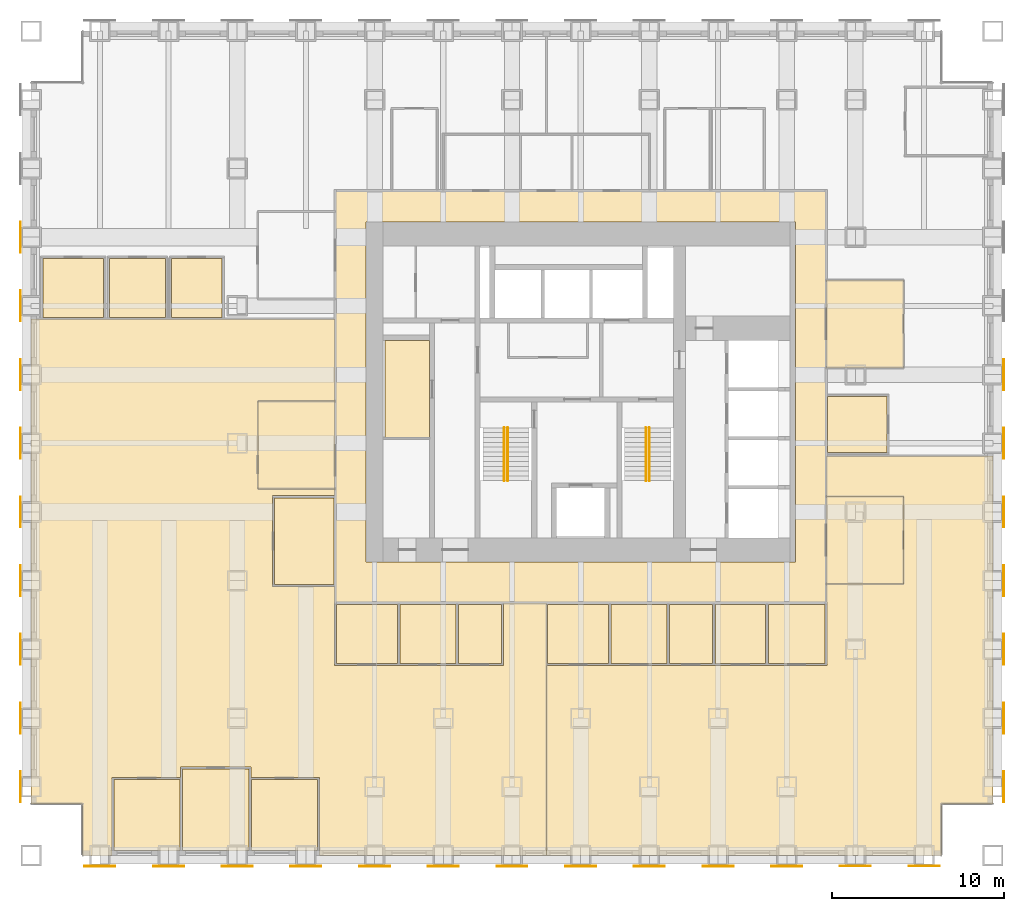
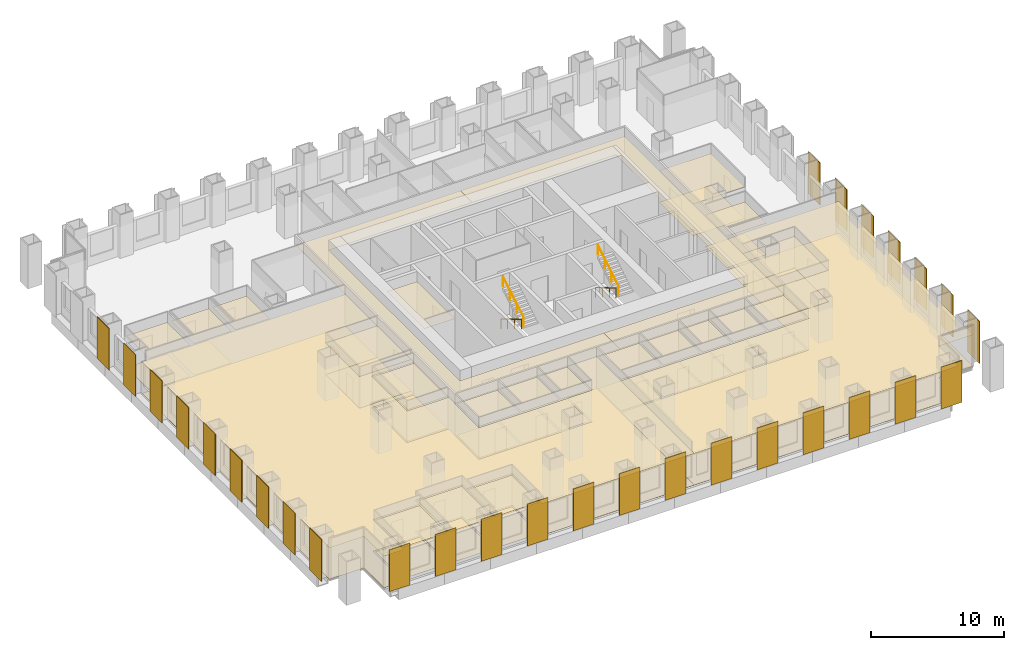
# One storey, part 13 of 14: 44 coverings, 29 shading devices, 4 railings.
"""IFC4 building model written with IfcOpenShell, lengths in metres."""

from ifc_helpers import new_model, si_unit, direction, frame, origin, origin_2d, place, context, subcontext, project, spatial, polyline, rectangle, circle, outline, extrude, material, layer, layer_set, type_object, element, save


model = new_model("IFC4")

# Units and contexts
model_context = context("Model", 3, precision=1e-05, world=origin(), true_north=direction((0.0, 1.0)))
body_context = subcontext(model_context, "Body", "Model", "MODEL_VIEW")
ifc_project = project(units=[si_unit("LENGTHUNIT", "METRE"), si_unit("AREAUNIT", "SQUARE_METRE"), si_unit("VOLUMEUNIT", "CUBIC_METRE"), si_unit("PLANEANGLEUNIT", "RADIAN"), si_unit("MASSUNIT", "GRAM", prefix="KILO")], contexts=[model_context])

# Site, building, storey
site_placement = place(None, origin())
site = spatial("IfcSite", under=ifc_project, at=site_placement, CompositionType="ELEMENT")
building_placement = place(site_placement, origin())
building = spatial("IfcBuilding", under=site, at=building_placement, Name="Rimbunsela Tower", CompositionType="ELEMENT")
storey_placement = place(building_placement, frame((0.0, 0.0, 63.0)))
storey = spatial("IfcBuildingStorey", under=building, at=storey_placement, Name="L15", CompositionType="ELEMENT", Elevation=63.0)

# Coverings
ifc_material_1 = material(Name="Nylon carpet tile", Category="textile")
ifc_layer_1 = layer(ifc_material_1, 0.010009765625)
ifc_layer_set_1 = layer_set([ifc_layer_1], Name="Carpet tile 10")
covering_type_1 = type_object("IfcCoveringType", Name="Carpet tile 10", PredefinedType="FLOORING", material=ifc_layer_set_1)
covering_1_placement = place(storey_placement, origin())
element("IfcCovering", 1, at=covering_1_placement, inside=storey, type_object=covering_type_1, Name="Floor finish Open office", PredefinedType="FLOORING", context=body_context, shape_type="SweptSolid", body=[
    extrude(outline(polyline([(19.449951171875, 11.050048828125), (22.75, 11.050048828125), (22.85009765625, 11.050048828125), (25.5, 11.050048828125), (25.5, 14.699951171875), (27.9990234375, 14.699951171875), (27.9990234375, 0.0), (15.699951171875, 0.0), (14.800048828125, 0.0), (14.800048828125, 4.550048828125), (10.800048828125, 4.550048828125), (10.800048828125, 5.14990234375), (6.699951171875, 5.14990234375), (6.699951171875, 4.550048828125), (2.699951171875, 4.550048828125), (2.699951171875, 0.0), (1.0, 0.0), (1.0, 3.0), (-2.0, 3.0), (-2.0, 31.2490234375), (15.699951171875, 31.2490234375), (15.699951171875, 26.449951171875), (11.199951171875, 26.449951171875), (11.199951171875, 21.35009765625), (15.699951171875, 21.35009765625), (15.699951171875, 20.949951171875), (12.050048828125, 20.949951171875), (12.050048828125, 15.64990234375), (15.699951171875, 15.64990234375), (15.699951171875, 14.75), (15.64990234375, 14.75), (15.64990234375, 11.050048828125), (15.699951171875, 11.050048828125), (19.35009765625, 11.050048828125), (19.449951171875, 11.050048828125)])), origin(), (0.0, 0.0, 1.0), 0.010009765625),
])
covering_2_placement = place(storey_placement, origin())
element("IfcCovering", 2, at=covering_2_placement, inside=storey, type_object=covering_type_1, Name="Floor finish Open office", PredefinedType="FLOORING", context=body_context, shape_type="SweptSolid", body=[
    extrude(outline(polyline([(28.0009765625, 11.050048828125), (31.65087890625, 11.050048828125), (31.7509765625, 11.050048828125), (35.051025390625, 11.050048828125), (35.15087890625, 11.050048828125), (37.700927734375, 11.050048828125), (37.801025390625, 11.050048828125), (40.801025390625, 11.050048828125), (40.90087890625, 11.050048828125), (44.300048828125, 11.050048828125), (44.35009765625, 11.050048828125), (44.35009765625, 14.75), (44.300048828125, 14.75), (44.300048828125, 15.800048828125), (48.800048828125, 15.800048828125), (48.800048828125, 20.89990234375), (44.300048828125, 20.89990234375), (44.300048828125, 23.2490234375), (54.0, 23.2490234375), (54.0, 3.0), (51.0, 3.0), (51.0, 0.0), (44.300048828125, 0.0), (28.0009765625, 0.0), (28.0009765625, 11.050048828125)])), origin(), (0.0, 0.0, 1.0), 0.010009765625),
])
covering_3_placement = place(storey_placement, origin())
element("IfcCovering", 3, at=covering_3_placement, inside=storey, type_object=covering_type_1, Name="Floor finish Reception", PredefinedType="FLOORING", context=body_context, shape_type="SweptSolid", body=[
    extrude(outline(polyline([(15.699951171875, 21.35009765625), (15.699951171875, 26.449951171875), (11.199951171875, 26.449951171875), (11.199951171875, 21.35009765625), (15.699951171875, 21.35009765625)])), origin(), (0.0, 0.0, 1.0), 0.010009765625),
])
covering_4_placement = place(storey_placement, origin())
element("IfcCovering", 4, at=covering_4_placement, inside=storey, type_object=covering_type_1, Name="Floor finish Reception", PredefinedType="FLOORING", context=body_context, shape_type="SweptSolid", body=[
    extrude(outline(polyline([(48.800048828125, 15.800048828125), (48.800048828125, 20.89990234375), (44.300048828125, 20.89990234375), (44.300048828125, 15.800048828125), (48.800048828125, 15.800048828125)])), origin(), (0.0, 0.0, 1.0), 0.010009765625),
])
covering_5_placement = place(storey_placement, origin())
element("IfcCovering", 5, at=covering_5_placement, inside=storey, type_object=covering_type_1, Name="Floor finish Reception", PredefinedType="FLOORING", context=body_context, shape_type="SweptSolid", body=[
    extrude(outline(polyline([(48.800048828125, 28.39990234375), (48.800048828125, 33.5), (44.300048828125, 33.5), (44.300048828125, 28.39990234375), (48.800048828125, 28.39990234375)])), origin(), (0.0, 0.0, 1.0), 0.010009765625),
])
covering_6_placement = place(storey_placement, origin())
element("IfcCovering", 6, at=covering_6_placement, inside=storey, type_object=covering_type_1, Name="Floor finish Executive office", PredefinedType="FLOORING", context=body_context, shape_type="SweptSolid", body=[
    extrude(outline(polyline([(6.675048828125, 0.300048828125), (6.675048828125, 4.425048828125), (2.824951171875, 4.425048828125), (2.824951171875, 0.300048828125), (6.675048828125, 0.300048828125)])), origin(), (0.0, 0.0, 1.0), 0.010009765625),
])
covering_7_placement = place(storey_placement, origin())
element("IfcCovering", 7, at=covering_7_placement, inside=storey, type_object=covering_type_1, Name="Floor finish Meeting room", PredefinedType="FLOORING", context=body_context, shape_type="SweptSolid", body=[
    extrude(outline(polyline([(10.675048828125, 0.300048828125), (10.675048828125, 5.02490234375), (6.824951171875, 5.02490234375), (6.824951171875, 0.300048828125), (10.675048828125, 0.300048828125)])), origin(), (0.0, 0.0, 1.0), 0.010009765625),
])
covering_8_placement = place(storey_placement, origin())
element("IfcCovering", 8, at=covering_8_placement, inside=storey, type_object=covering_type_1, Name="Floor finish Executive office", PredefinedType="FLOORING", context=body_context, shape_type="SweptSolid", body=[
    extrude(outline(polyline([(14.675048828125, 0.300048828125), (14.675048828125, 4.425048828125), (10.824951171875, 4.425048828125), (10.824951171875, 0.300048828125), (14.675048828125, 0.300048828125)])), origin(), (0.0, 0.0, 1.0), 0.010009765625),
])
covering_9_placement = place(storey_placement, origin())
element("IfcCovering", 9, at=covering_9_placement, inside=storey, type_object=covering_type_1, Name="Floor finish Meeting room", PredefinedType="FLOORING", context=body_context, shape_type="SweptSolid", body=[
    extrude(outline(polyline([(19.324951171875, 11.175048828125), (19.324951171875, 14.625), (15.77490234375, 14.625), (15.77490234375, 11.175048828125), (19.324951171875, 11.175048828125)])), origin(), (0.0, 0.0, 1.0), 0.010009765625),
])
covering_10_placement = place(storey_placement, origin())
element("IfcCovering", 10, at=covering_10_placement, inside=storey, type_object=covering_type_1, Name="Floor finish Pantry", PredefinedType="FLOORING", context=body_context, shape_type="SweptSolid", body=[
    extrude(outline(polyline([(22.72509765625, 11.175048828125), (22.72509765625, 14.625), (19.47509765625, 14.625), (19.47509765625, 11.175048828125), (22.72509765625, 11.175048828125)])), origin(), (0.0, 0.0, 1.0), 0.010009765625),
])
covering_11_placement = place(storey_placement, origin())
element("IfcCovering", 11, at=covering_11_placement, inside=storey, type_object=covering_type_1, Name="Floor finish Print and copy room", PredefinedType="FLOORING", context=body_context, shape_type="SweptSolid", body=[
    extrude(outline(polyline([(25.375, 11.175048828125), (25.375, 14.625), (22.875, 14.625), (22.875, 11.175048828125), (25.375, 11.175048828125)])), origin(), (0.0, 0.0, 1.0), 0.010009765625),
])
covering_12_placement = place(storey_placement, origin())
element("IfcCovering", 12, at=covering_12_placement, inside=storey, type_object=covering_type_1, Name="Floor finish Office", PredefinedType="FLOORING", context=body_context, shape_type="SweptSolid", body=[
    extrude(outline(polyline([(15.625, 15.77490234375), (15.625, 20.824951171875), (12.175048828125, 20.824951171875), (12.175048828125, 15.77490234375), (15.625, 15.77490234375)])), origin(), (0.0, 0.0, 1.0), 0.010009765625),
])
covering_13_placement = place(storey_placement, origin())
element("IfcCovering", 13, at=covering_13_placement, inside=storey, type_object=covering_type_1, Name="Floor finish Meeting room", PredefinedType="FLOORING", context=body_context, shape_type="SweptSolid", body=[
    extrude(outline(polyline([(31.6259765625, 11.175048828125), (31.6259765625, 14.625), (28.075927734375, 14.625), (28.075927734375, 11.175048828125), (31.6259765625, 11.175048828125)])), origin(), (0.0, 0.0, 1.0), 0.010009765625),
])
covering_14_placement = place(storey_placement, origin())
element("IfcCovering", 14, at=covering_14_placement, inside=storey, type_object=covering_type_1, Name="Floor finish Pantry", PredefinedType="FLOORING", context=body_context, shape_type="SweptSolid", body=[
    extrude(outline(polyline([(35.02587890625, 11.175048828125), (35.02587890625, 14.625), (31.77587890625, 14.625), (31.77587890625, 11.175048828125), (35.02587890625, 11.175048828125)])), origin(), (0.0, 0.0, 1.0), 0.010009765625),
])
covering_15_placement = place(storey_placement, origin())
element("IfcCovering", 15, at=covering_15_placement, inside=storey, type_object=covering_type_1, Name="Floor finish Print and copy room", PredefinedType="FLOORING", context=body_context, shape_type="SweptSolid", body=[
    extrude(outline(polyline([(37.676025390625, 11.175048828125), (37.676025390625, 14.625), (35.176025390625, 14.625), (35.176025390625, 11.175048828125), (37.676025390625, 11.175048828125)])), origin(), (0.0, 0.0, 1.0), 0.010009765625),
])
covering_16_placement = place(storey_placement, origin())
element("IfcCovering", 16, at=covering_16_placement, inside=storey, type_object=covering_type_1, Name="Floor finish Office", PredefinedType="FLOORING", context=body_context, shape_type="SweptSolid", body=[
    extrude(outline(polyline([(40.77587890625, 11.175048828125), (40.77587890625, 14.625), (37.825927734375, 14.625), (37.825927734375, 11.175048828125), (40.77587890625, 11.175048828125)])), origin(), (0.0, 0.0, 1.0), 0.010009765625),
])
covering_17_placement = place(storey_placement, origin())
element("IfcCovering", 17, at=covering_17_placement, inside=storey, type_object=covering_type_1, Name="Floor finish Focus room", PredefinedType="FLOORING", context=body_context, shape_type="SweptSolid", body=[
    extrude(outline(polyline([(44.22509765625, 11.175048828125), (44.22509765625, 14.625), (40.926025390625, 14.625), (40.926025390625, 11.175048828125), (44.22509765625, 11.175048828125)])), origin(), (0.0, 0.0, 1.0), 0.010009765625),
])
covering_18_placement = place(storey_placement, origin())
element("IfcCovering", 18, at=covering_18_placement, inside=storey, type_object=covering_type_1, Name="Floor finish Meeting room", PredefinedType="FLOORING", context=body_context, shape_type="SweptSolid", body=[
    extrude(outline(polyline([(2.22509765625, 31.324951171875), (2.22509765625, 34.77490234375), (-1.324951171875, 34.77490234375), (-1.324951171875, 31.324951171875), (2.22509765625, 31.324951171875)])), origin(), (0.0, 0.0, 1.0), 0.010009765625),
])
covering_19_placement = place(storey_placement, origin())
element("IfcCovering", 19, at=covering_19_placement, inside=storey, type_object=covering_type_1, Name="Floor finish Pantry", PredefinedType="FLOORING", context=body_context, shape_type="SweptSolid", body=[
    extrude(outline(polyline([(5.824951171875, 31.324951171875), (5.824951171875, 34.77490234375), (2.574951171875, 34.77490234375), (2.574951171875, 31.324951171875), (5.824951171875, 31.324951171875)])), origin(), (0.0, 0.0, 1.0), 0.010009765625),
])
covering_20_placement = place(storey_placement, origin())
element("IfcCovering", 20, at=covering_20_placement, inside=storey, type_object=covering_type_1, Name="Floor finish Pantry", PredefinedType="FLOORING", context=body_context, shape_type="SweptSolid", body=[
    extrude(outline(polyline([(47.824951171875, 23.47509765625), (47.824951171875, 26.72509765625), (44.375, 26.72509765625), (44.375, 23.47509765625), (47.824951171875, 23.47509765625)])), origin(), (0.0, 0.0, 1.0), 0.010009765625),
])
ifc_material_2 = material(Name="Mineral fibre ceiling tile", Category="gypsum")
ifc_layer_2 = layer(ifc_material_2, 0.02001953125)
ifc_layer_set_2 = layer_set([ifc_layer_2], Name="Ceiling 600 grid")
covering_type_2 = type_object("IfcCoveringType", Name="Ceiling 600 grid", PredefinedType="CEILING", material=ifc_layer_set_2)
covering_21_placement = place(storey_placement, frame((0.0, 0.0, 2.89990234375)))
element("IfcCovering", 21, at=covering_21_placement, inside=storey, type_object=covering_type_2, Name="Ceiling IT room", PredefinedType="CEILING", context=body_context, shape_type="SweptSolid", body=[
    extrude(outline(polyline([(21.199951171875, 24.35009765625), (21.199951171875, 30.0), (18.60009765625, 30.0), (18.60009765625, 24.35009765625), (21.199951171875, 24.35009765625)])), origin(), (0.0, 0.0, 1.0), 0.02001953125),
])
covering_22_placement = place(storey_placement, frame((0.0, 0.0, 2.89990234375)))
element("IfcCovering", 22, at=covering_22_placement, inside=storey, type_object=covering_type_2, Name="Ceiling Ring corridor", PredefinedType="CEILING", context=body_context, shape_type="SweptSolid", body=[
    extrude(outline(polyline([(15.699951171875, 38.699951171875), (30.0, 38.699951171875), (30.0, 36.89990234375), (17.5, 36.89990234375), (17.5, 17.10009765625), (30.0, 17.10009765625), (30.0, 14.699951171875), (15.699951171875, 14.699951171875), (15.699951171875, 38.699951171875)])), origin(), (0.0, 0.0, 1.0), 0.02001953125),
])
covering_23_placement = place(storey_placement, frame((0.0, 0.0, 2.89990234375)))
element("IfcCovering", 23, at=covering_23_placement, inside=storey, type_object=covering_type_2, Name="Ceiling Ring corridor", PredefinedType="CEILING", context=body_context, shape_type="SweptSolid", body=[
    extrude(outline(polyline([(44.300048828125, 38.699951171875), (44.300048828125, 14.699951171875), (30.0, 14.699951171875), (30.0, 17.10009765625), (42.5, 17.10009765625), (42.5, 36.89990234375), (30.0, 36.89990234375), (30.0, 38.699951171875), (44.300048828125, 38.699951171875)])), origin(), (0.0, 0.0, 1.0), 0.02001953125),
])
covering_24_placement = place(storey_placement, frame((0.0, 0.0, 2.89990234375)))
element("IfcCovering", 24, at=covering_24_placement, inside=storey, type_object=covering_type_2, Name="Ceiling Open office", PredefinedType="CEILING", context=body_context, shape_type="SweptSolid", body=[
    extrude(outline(polyline([(19.449951171875, 11.050048828125), (22.75, 11.050048828125), (22.85009765625, 11.050048828125), (25.5, 11.050048828125), (25.5, 14.699951171875), (27.9990234375, 14.699951171875), (27.9990234375, 0.0), (15.699951171875, 0.0), (14.800048828125, 0.0), (14.800048828125, 4.550048828125), (10.800048828125, 4.550048828125), (10.800048828125, 5.14990234375), (6.699951171875, 5.14990234375), (6.699951171875, 4.550048828125), (2.699951171875, 4.550048828125), (2.699951171875, 0.0), (1.0, 0.0), (1.0, 3.0), (-2.0, 3.0), (-2.0, 31.2490234375), (15.699951171875, 31.2490234375), (15.699951171875, 26.449951171875), (11.199951171875, 26.449951171875), (11.199951171875, 21.35009765625), (15.699951171875, 21.35009765625), (15.699951171875, 20.949951171875), (12.050048828125, 20.949951171875), (12.050048828125, 15.64990234375), (15.699951171875, 15.64990234375), (15.699951171875, 14.75), (15.64990234375, 14.75), (15.64990234375, 11.050048828125), (15.699951171875, 11.050048828125), (19.35009765625, 11.050048828125), (19.449951171875, 11.050048828125)])), origin(), (0.0, 0.0, 1.0), 0.02001953125),
])
covering_25_placement = place(storey_placement, frame((0.0, 0.0, 2.89990234375)))
element("IfcCovering", 25, at=covering_25_placement, inside=storey, type_object=covering_type_2, Name="Ceiling Open office", PredefinedType="CEILING", context=body_context, shape_type="SweptSolid", body=[
    extrude(outline(polyline([(28.0009765625, 11.050048828125), (31.65087890625, 11.050048828125), (31.7509765625, 11.050048828125), (35.051025390625, 11.050048828125), (35.15087890625, 11.050048828125), (37.700927734375, 11.050048828125), (37.801025390625, 11.050048828125), (40.801025390625, 11.050048828125), (40.90087890625, 11.050048828125), (44.300048828125, 11.050048828125), (44.35009765625, 11.050048828125), (44.35009765625, 14.75), (44.300048828125, 14.75), (44.300048828125, 15.800048828125), (48.800048828125, 15.800048828125), (48.800048828125, 20.89990234375), (44.300048828125, 20.89990234375), (44.300048828125, 23.2490234375), (54.0, 23.2490234375), (54.0, 3.0), (51.0, 3.0), (51.0, 0.0), (44.300048828125, 0.0), (28.0009765625, 0.0), (28.0009765625, 11.050048828125)])), origin(), (0.0, 0.0, 1.0), 0.02001953125),
])
covering_26_placement = place(storey_placement, frame((0.0, 0.0, 2.89990234375)))
element("IfcCovering", 26, at=covering_26_placement, inside=storey, type_object=covering_type_2, Name="Ceiling Reception", PredefinedType="CEILING", context=body_context, shape_type="SweptSolid", body=[
    extrude(outline(polyline([(15.699951171875, 21.35009765625), (15.699951171875, 26.449951171875), (11.199951171875, 26.449951171875), (11.199951171875, 21.35009765625), (15.699951171875, 21.35009765625)])), origin(), (0.0, 0.0, 1.0), 0.02001953125),
])
covering_27_placement = place(storey_placement, frame((0.0, 0.0, 2.89990234375)))
element("IfcCovering", 27, at=covering_27_placement, inside=storey, type_object=covering_type_2, Name="Ceiling Reception", PredefinedType="CEILING", context=body_context, shape_type="SweptSolid", body=[
    extrude(outline(polyline([(48.800048828125, 15.800048828125), (48.800048828125, 20.89990234375), (44.300048828125, 20.89990234375), (44.300048828125, 15.800048828125), (48.800048828125, 15.800048828125)])), origin(), (0.0, 0.0, 1.0), 0.02001953125),
])
covering_28_placement = place(storey_placement, frame((0.0, 0.0, 2.89990234375)))
element("IfcCovering", 28, at=covering_28_placement, inside=storey, type_object=covering_type_2, Name="Ceiling Reception", PredefinedType="CEILING", context=body_context, shape_type="SweptSolid", body=[
    extrude(outline(polyline([(48.800048828125, 28.39990234375), (48.800048828125, 33.5), (44.300048828125, 33.5), (44.300048828125, 28.39990234375), (48.800048828125, 28.39990234375)])), origin(), (0.0, 0.0, 1.0), 0.02001953125),
])
covering_29_placement = place(storey_placement, frame((0.0, 0.0, 2.89990234375)))
element("IfcCovering", 29, at=covering_29_placement, inside=storey, type_object=covering_type_2, Name="Ceiling Executive office", PredefinedType="CEILING", context=body_context, shape_type="SweptSolid", body=[
    extrude(outline(polyline([(6.675048828125, 0.300048828125), (6.675048828125, 4.425048828125), (2.824951171875, 4.425048828125), (2.824951171875, 0.300048828125), (6.675048828125, 0.300048828125)])), origin(), (0.0, 0.0, 1.0), 0.02001953125),
])
covering_30_placement = place(storey_placement, frame((0.0, 0.0, 2.89990234375)))
element("IfcCovering", 30, at=covering_30_placement, inside=storey, type_object=covering_type_2, Name="Ceiling Meeting room", PredefinedType="CEILING", context=body_context, shape_type="SweptSolid", body=[
    extrude(outline(polyline([(10.675048828125, 0.300048828125), (10.675048828125, 5.02490234375), (6.824951171875, 5.02490234375), (6.824951171875, 0.300048828125), (10.675048828125, 0.300048828125)])), origin(), (0.0, 0.0, 1.0), 0.02001953125),
])
covering_31_placement = place(storey_placement, frame((0.0, 0.0, 2.89990234375)))
element("IfcCovering", 31, at=covering_31_placement, inside=storey, type_object=covering_type_2, Name="Ceiling Executive office", PredefinedType="CEILING", context=body_context, shape_type="SweptSolid", body=[
    extrude(outline(polyline([(14.675048828125, 0.300048828125), (14.675048828125, 4.425048828125), (10.824951171875, 4.425048828125), (10.824951171875, 0.300048828125), (14.675048828125, 0.300048828125)])), origin(), (0.0, 0.0, 1.0), 0.02001953125),
])
covering_32_placement = place(storey_placement, frame((0.0, 0.0, 2.89990234375)))
element("IfcCovering", 32, at=covering_32_placement, inside=storey, type_object=covering_type_2, Name="Ceiling Meeting room", PredefinedType="CEILING", context=body_context, shape_type="SweptSolid", body=[
    extrude(outline(polyline([(19.324951171875, 11.175048828125), (19.324951171875, 14.625), (15.77490234375, 14.625), (15.77490234375, 11.175048828125), (19.324951171875, 11.175048828125)])), origin(), (0.0, 0.0, 1.0), 0.02001953125),
])
covering_33_placement = place(storey_placement, frame((0.0, 0.0, 2.89990234375)))
element("IfcCovering", 33, at=covering_33_placement, inside=storey, type_object=covering_type_2, Name="Ceiling Pantry", PredefinedType="CEILING", context=body_context, shape_type="SweptSolid", body=[
    extrude(outline(polyline([(22.72509765625, 11.175048828125), (22.72509765625, 14.625), (19.47509765625, 14.625), (19.47509765625, 11.175048828125), (22.72509765625, 11.175048828125)])), origin(), (0.0, 0.0, 1.0), 0.02001953125),
])
covering_34_placement = place(storey_placement, frame((0.0, 0.0, 2.89990234375)))
element("IfcCovering", 34, at=covering_34_placement, inside=storey, type_object=covering_type_2, Name="Ceiling Print and copy room", PredefinedType="CEILING", context=body_context, shape_type="SweptSolid", body=[
    extrude(outline(polyline([(25.375, 11.175048828125), (25.375, 14.625), (22.875, 14.625), (22.875, 11.175048828125), (25.375, 11.175048828125)])), origin(), (0.0, 0.0, 1.0), 0.02001953125),
])
covering_35_placement = place(storey_placement, frame((0.0, 0.0, 2.89990234375)))
element("IfcCovering", 35, at=covering_35_placement, inside=storey, type_object=covering_type_2, Name="Ceiling Office", PredefinedType="CEILING", context=body_context, shape_type="SweptSolid", body=[
    extrude(outline(polyline([(15.625, 15.77490234375), (15.625, 20.824951171875), (12.175048828125, 20.824951171875), (12.175048828125, 15.77490234375), (15.625, 15.77490234375)])), origin(), (0.0, 0.0, 1.0), 0.02001953125),
])
covering_36_placement = place(storey_placement, frame((0.0, 0.0, 2.89990234375)))
element("IfcCovering", 36, at=covering_36_placement, inside=storey, type_object=covering_type_2, Name="Ceiling Meeting room", PredefinedType="CEILING", context=body_context, shape_type="SweptSolid", body=[
    extrude(outline(polyline([(31.6259765625, 11.175048828125), (31.6259765625, 14.625), (28.075927734375, 14.625), (28.075927734375, 11.175048828125), (31.6259765625, 11.175048828125)])), origin(), (0.0, 0.0, 1.0), 0.02001953125),
])
covering_37_placement = place(storey_placement, frame((0.0, 0.0, 2.89990234375)))
element("IfcCovering", 37, at=covering_37_placement, inside=storey, type_object=covering_type_2, Name="Ceiling Pantry", PredefinedType="CEILING", context=body_context, shape_type="SweptSolid", body=[
    extrude(outline(polyline([(35.02587890625, 11.175048828125), (35.02587890625, 14.625), (31.77587890625, 14.625), (31.77587890625, 11.175048828125), (35.02587890625, 11.175048828125)])), origin(), (0.0, 0.0, 1.0), 0.02001953125),
])
covering_38_placement = place(storey_placement, frame((0.0, 0.0, 2.89990234375)))
element("IfcCovering", 38, at=covering_38_placement, inside=storey, type_object=covering_type_2, Name="Ceiling Print and copy room", PredefinedType="CEILING", context=body_context, shape_type="SweptSolid", body=[
    extrude(outline(polyline([(37.676025390625, 11.175048828125), (37.676025390625, 14.625), (35.176025390625, 14.625), (35.176025390625, 11.175048828125), (37.676025390625, 11.175048828125)])), origin(), (0.0, 0.0, 1.0), 0.02001953125),
])
covering_39_placement = place(storey_placement, frame((0.0, 0.0, 2.89990234375)))
element("IfcCovering", 39, at=covering_39_placement, inside=storey, type_object=covering_type_2, Name="Ceiling Office", PredefinedType="CEILING", context=body_context, shape_type="SweptSolid", body=[
    extrude(outline(polyline([(40.77587890625, 11.175048828125), (40.77587890625, 14.625), (37.825927734375, 14.625), (37.825927734375, 11.175048828125), (40.77587890625, 11.175048828125)])), origin(), (0.0, 0.0, 1.0), 0.02001953125),
])
covering_40_placement = place(storey_placement, frame((0.0, 0.0, 2.89990234375)))
element("IfcCovering", 40, at=covering_40_placement, inside=storey, type_object=covering_type_2, Name="Ceiling Focus room", PredefinedType="CEILING", context=body_context, shape_type="SweptSolid", body=[
    extrude(outline(polyline([(44.22509765625, 11.175048828125), (44.22509765625, 14.625), (40.926025390625, 14.625), (40.926025390625, 11.175048828125), (44.22509765625, 11.175048828125)])), origin(), (0.0, 0.0, 1.0), 0.02001953125),
])
covering_41_placement = place(storey_placement, frame((0.0, 0.0, 2.89990234375)))
element("IfcCovering", 41, at=covering_41_placement, inside=storey, type_object=covering_type_2, Name="Ceiling Meeting room", PredefinedType="CEILING", context=body_context, shape_type="SweptSolid", body=[
    extrude(outline(polyline([(2.22509765625, 31.324951171875), (2.22509765625, 34.77490234375), (-1.324951171875, 34.77490234375), (-1.324951171875, 31.324951171875), (2.22509765625, 31.324951171875)])), origin(), (0.0, 0.0, 1.0), 0.02001953125),
])
covering_42_placement = place(storey_placement, frame((0.0, 0.0, 2.89990234375)))
element("IfcCovering", 42, at=covering_42_placement, inside=storey, type_object=covering_type_2, Name="Ceiling Pantry", PredefinedType="CEILING", context=body_context, shape_type="SweptSolid", body=[
    extrude(outline(polyline([(5.824951171875, 31.324951171875), (5.824951171875, 34.77490234375), (2.574951171875, 34.77490234375), (2.574951171875, 31.324951171875), (5.824951171875, 31.324951171875)])), origin(), (0.0, 0.0, 1.0), 0.02001953125),
])
covering_43_placement = place(storey_placement, frame((0.0, 0.0, 2.89990234375)))
element("IfcCovering", 43, at=covering_43_placement, inside=storey, type_object=covering_type_2, Name="Ceiling Office", PredefinedType="CEILING", context=body_context, shape_type="SweptSolid", body=[
    extrude(outline(polyline([(9.125, 31.324951171875), (9.125, 34.77490234375), (6.175048828125, 34.77490234375), (6.175048828125, 31.324951171875), (9.125, 31.324951171875)])), origin(), (0.0, 0.0, 1.0), 0.02001953125),
])
covering_44_placement = place(storey_placement, frame((0.0, 0.0, 2.89990234375)))
element("IfcCovering", 44, at=covering_44_placement, inside=storey, type_object=covering_type_2, Name="Ceiling Pantry", PredefinedType="CEILING", context=body_context, shape_type="SweptSolid", body=[
    extrude(outline(polyline([(47.824951171875, 23.47509765625), (47.824951171875, 26.72509765625), (44.375, 26.72509765625), (44.375, 23.47509765625), (47.824951171875, 23.47509765625)])), origin(), (0.0, 0.0, 1.0), 0.02001953125),
])

# Shading devices
ifc_material_3 = material(Name="Perforated aluminium, 35 % open area", Category="aluminium")
ifc_layer_3 = layer(ifc_material_3, 0.050048828125)
ifc_layer_set_3 = layer_set([ifc_layer_3], Name="Solar screen panel 1800")
shading_device_type = type_object("IfcShadingDeviceType", Name="Solar screen panel 1800", PredefinedType="USERDEFINED", material=ifc_layer_set_3)
for number, where, z_axis, x_axis, name in (
    (45, (2.0, -0.625, 0.0), (0.0, 0.0, 1.0), (1.0, 0.0, 0.0), "Solar screen S L15"),
    (46, (6.0, -0.625, 0.0), (0.0, 0.0, 1.0), (1.0, 0.0, 0.0), "Solar screen S L15"),
    (47, (10.0, -0.625, 0.0), (0.0, 0.0, 1.0), (1.0, 0.0, 0.0), "Solar screen S L15"),
    (48, (14.0, -0.625, 0.0), (0.0, 0.0, 1.0), (1.0, 0.0, 0.0), "Solar screen S L15"),
    (49, (18.0, -0.625, 0.0), (0.0, 0.0, 1.0), (1.0, 0.0, 0.0), "Solar screen S L15"),
    (50, (22.0, -0.625, 0.0), (0.0, 0.0, 1.0), (1.0, 0.0, 0.0), "Solar screen S L15"),
    (51, (26.0, -0.625, 0.0), (0.0, 0.0, 1.0), (1.0, 0.0, 0.0), "Solar screen S L15"),
    (52, (30.0, -0.625, 0.0), (0.0, 0.0, 1.0), (1.0, 0.0, 0.0), "Solar screen S L15"),
    (53, (34.0, -0.625, 0.0), (0.0, 0.0, 1.0), (1.0, 0.0, 0.0), "Solar screen S L15"),
    (54, (38.0, -0.625, 0.0), (0.0, 0.0, 1.0), (1.0, 0.0, 0.0), "Solar screen S L15"),
    (55, (42.0, -0.625, 0.0), (0.0, 0.0, 1.0), (1.0, 0.0, 0.0), "Solar screen S L15"),
    (56, (46.0, -0.625, 0.0), (0.0, 0.0, 1.0), (1.0, 0.0, 0.0), "Solar screen S L15"),
    (57, (50.0, -0.625, 0.0), (0.0, 0.0, 1.0), (1.0, 0.0, 0.0), "Solar screen S L15"),
    (58, (54.625, 4.0, 0.0), (0.0, 0.0, 1.0), (0.0, 1.0, 0.0), "Solar screen E L15"),
    (59, (54.625, 8.0, 0.0), (0.0, 0.0, 1.0), (0.0, 1.0, 0.0), "Solar screen E L15"),
    (60, (54.625, 12.0, 0.0), (0.0, 0.0, 1.0), (0.0, 1.0, 0.0), "Solar screen E L15"),
    (61, (54.625, 16.0, 0.0), (0.0, 0.0, 1.0), (0.0, 1.0, 0.0), "Solar screen E L15"),
    (62, (54.625, 20.0, 0.0), (0.0, 0.0, 1.0), (0.0, 1.0, 0.0), "Solar screen E L15"),
    (63, (54.625, 24.0, 0.0), (0.0, 0.0, 1.0), (0.0, 1.0, 0.0), "Solar screen E L15"),
    (64, (54.625, 28.0, 0.0), (0.0, 0.0, 1.0), (0.0, 1.0, 0.0), "Solar screen E L15"),
    (65, (-2.625, 4.0, 0.0), (0.0, 0.0, 1.0), (0.0, 1.0, 0.0), "Solar screen W L15"),
    (66, (-2.625, 8.0, 0.0), (0.0, 0.0, 1.0), (0.0, 1.0, 0.0), "Solar screen W L15"),
    (67, (-2.625, 12.0, 0.0), (0.0, 0.0, 1.0), (0.0, 1.0, 0.0), "Solar screen W L15"),
    (68, (-2.625, 16.0, 0.0), (0.0, 0.0, 1.0), (0.0, 1.0, 0.0), "Solar screen W L15"),
    (69, (-2.625, 20.0, 0.0), (0.0, 0.0, 1.0), (0.0, 1.0, 0.0), "Solar screen W L15"),
    (70, (-2.625, 24.0, 0.0), (0.0, 0.0, 1.0), (0.0, 1.0, 0.0), "Solar screen W L15"),
    (71, (-2.625, 28.0, 0.0), (0.0, 0.0, 1.0), (0.0, 1.0, 0.0), "Solar screen W L15"),
    (72, (-2.625, 32.0, 0.0), (0.0, 0.0, 1.0), (0.0, 1.0, 0.0), "Solar screen W L15"),
    (73, (-2.625, 36.0, 0.0), (0.0, 0.0, 1.0), (0.0, 1.0, 0.0), "Solar screen W L15"),
):
    element("IfcShadingDevice", number, at=place(storey_placement, frame(where, z_axis=z_axis, x_axis=x_axis)), inside=storey, type_object=shading_device_type, Name=name, ObjectType="SCREEN", PredefinedType="USERDEFINED", context=body_context, shape_type="SweptSolid", body=[
        extrude(rectangle(XDim=1.800048828125, YDim=0.050048828125, at=origin_2d()), origin(), (0.0, 0.0, 1.0), 3.85009765625),
    ])

# Railings
ifc_material_4 = material(Name="Stainless steel tube", Category="steel")
railing_type = type_object("IfcRailingType", Name="Stair handrail 900", PredefinedType="HANDRAIL", material=ifc_material_4)
railing_1_placement = place(storey_placement, frame((25.550048828125, 24.89990234375, 0.166748046875)))
element("IfcRailing", 74, at=railing_1_placement, inside=storey, type_object=railing_type, Name="Handrail ST-A flight 1", PredefinedType="HANDRAIL", context=body_context, shape_type="SweptSolid", body=[
    extrude(circle(Radius=0.02392578125, at=origin_2d()), frame((0.0, 0.0, 0.8759765625), z_axis=(0.0, -0.859290745958, 0.51148745235), x_axis=(1.0, 0.0, 0.0)), (0.0, 0.0, 1.0), 3.584228515625),
    extrude(circle(Radius=0.02099609375, at=origin_2d()), origin(), (0.0, 0.0, 1.0), 0.851806640625),
    extrude(circle(Radius=0.02099609375, at=origin_2d()), frame((0.0, -1.026611328125, 0.611083984375)), (0.0, 0.0, 1.0), 0.851806640625),
    extrude(circle(Radius=0.02099609375, at=origin_2d()), frame((0.0, -2.05322265625, 1.22216796875)), (0.0, 0.0, 1.0), 0.851806640625),
    extrude(circle(Radius=0.02099609375, at=origin_2d()), frame((0.0, -3.079833984375, 1.833251953125)), (0.0, 0.0, 1.0), 0.851806640625),
])
railing_2_placement = place(storey_placement, frame((25.75, 21.820068359375, 2.166748046875)))
element("IfcRailing", 75, at=railing_2_placement, inside=storey, type_object=railing_type, Name="Handrail ST-A flight 2", PredefinedType="HANDRAIL", context=body_context, shape_type="SweptSolid", body=[
    extrude(circle(Radius=0.02392578125, at=origin_2d()), frame((0.0, 0.0, 0.8759765625), z_axis=(0.0, 0.859290745958, 0.51148745235), x_axis=(-1.0, 0.0, 0.0)), (0.0, 0.0, 1.0), 3.584228515625),
    extrude(circle(Radius=0.02099609375, at=origin_2d()), origin(), (0.0, 0.0, 1.0), 0.851806640625),
    extrude(circle(Radius=0.02099609375, at=origin_2d()), frame((0.0, 1.026611328125, 0.611083984375)), (0.0, 0.0, 1.0), 0.851806640625),
    extrude(circle(Radius=0.02099609375, at=origin_2d()), frame((0.0, 2.05322265625, 1.22216796875)), (0.0, 0.0, 1.0), 0.851806640625),
    extrude(circle(Radius=0.02099609375, at=origin_2d()), frame((0.0, 3.079833984375, 1.833251953125)), (0.0, 0.0, 1.0), 0.851806640625),
])
railing_3_placement = place(storey_placement, frame((33.800048828125, 24.89990234375, 0.166748046875)))
element("IfcRailing", 76, at=railing_3_placement, inside=storey, type_object=railing_type, Name="Handrail ST-B flight 1", PredefinedType="HANDRAIL", context=body_context, shape_type="SweptSolid", body=[
    extrude(circle(Radius=0.02392578125, at=origin_2d()), frame((0.0, 0.0, 0.8759765625), z_axis=(0.0, -0.859290745958, 0.51148745235), x_axis=(1.0, 0.0, 0.0)), (0.0, 0.0, 1.0), 3.584228515625),
    extrude(circle(Radius=0.02099609375, at=origin_2d()), origin(), (0.0, 0.0, 1.0), 0.851806640625),
    extrude(circle(Radius=0.02099609375, at=origin_2d()), frame((0.0, -1.026611328125, 0.611083984375)), (0.0, 0.0, 1.0), 0.851806640625),
    extrude(circle(Radius=0.02099609375, at=origin_2d()), frame((0.0, -2.05322265625, 1.22216796875)), (0.0, 0.0, 1.0), 0.851806640625),
    extrude(circle(Radius=0.02099609375, at=origin_2d()), frame((0.0, -3.079833984375, 1.833251953125)), (0.0, 0.0, 1.0), 0.851806640625),
])
railing_4_placement = place(storey_placement, frame((34.0, 21.820068359375, 2.166748046875)))
element("IfcRailing", 77, at=railing_4_placement, inside=storey, type_object=railing_type, Name="Handrail ST-B flight 2", PredefinedType="HANDRAIL", context=body_context, shape_type="SweptSolid", body=[
    extrude(circle(Radius=0.02392578125, at=origin_2d()), frame((0.0, 0.0, 0.8759765625), z_axis=(0.0, 0.859290745958, 0.51148745235), x_axis=(-1.0, 0.0, 0.0)), (0.0, 0.0, 1.0), 3.584228515625),
    extrude(circle(Radius=0.02099609375, at=origin_2d()), origin(), (0.0, 0.0, 1.0), 0.851806640625),
    extrude(circle(Radius=0.02099609375, at=origin_2d()), frame((0.0, 1.026611328125, 0.611083984375)), (0.0, 0.0, 1.0), 0.851806640625),
    extrude(circle(Radius=0.02099609375, at=origin_2d()), frame((0.0, 2.05322265625, 1.22216796875)), (0.0, 0.0, 1.0), 0.851806640625),
    extrude(circle(Radius=0.02099609375, at=origin_2d()), frame((0.0, 3.079833984375, 1.833251953125)), (0.0, 0.0, 1.0), 0.851806640625),
])

save(model, "model.ifc")
